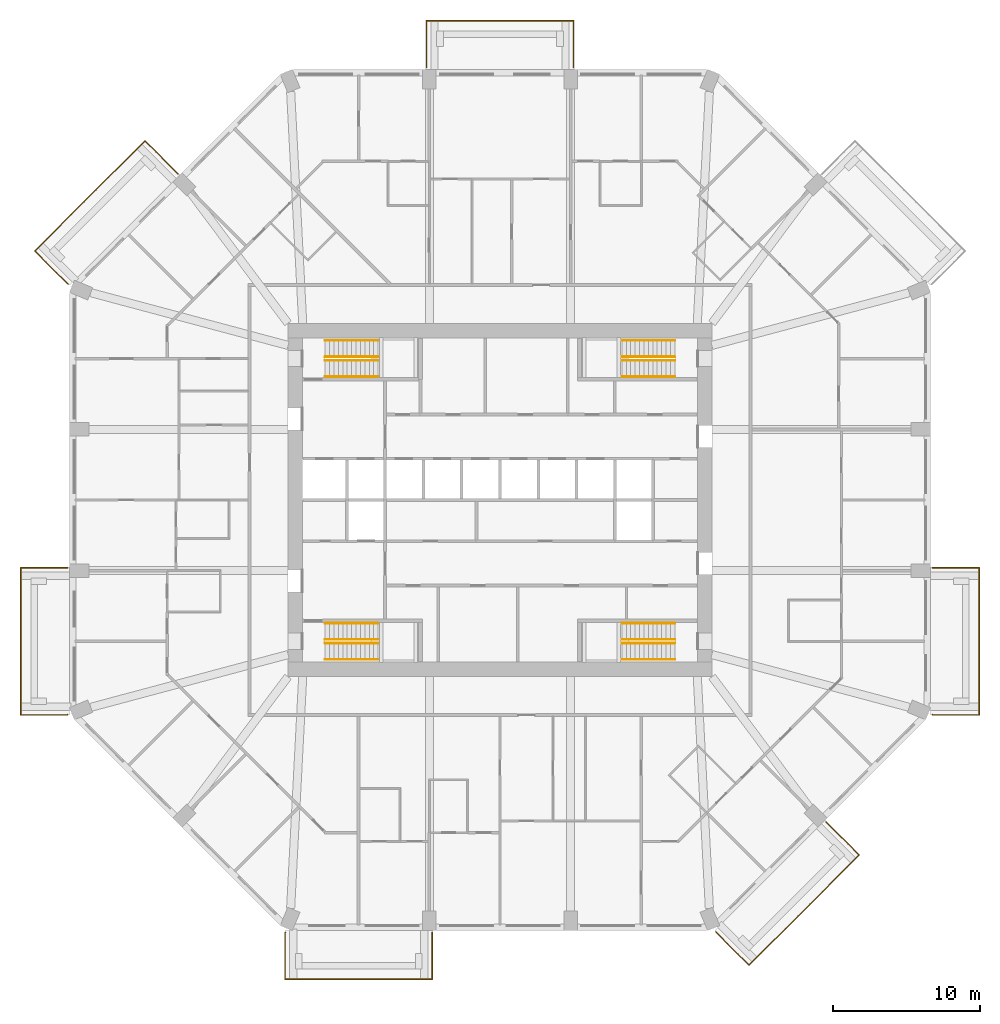
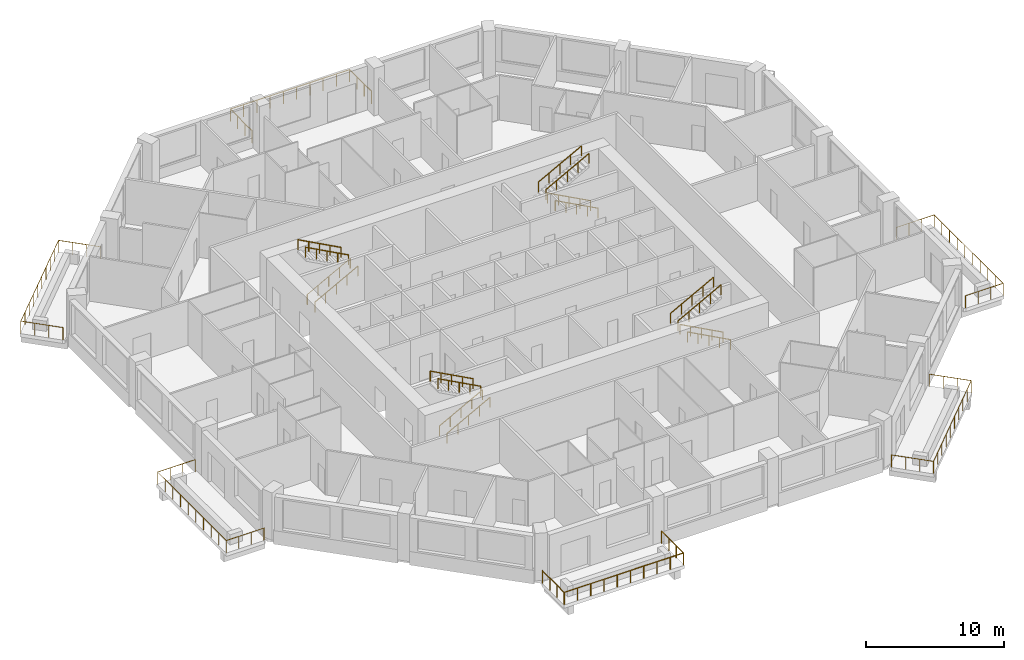
# One storey, part 12 of 13: 22 railings.
"""IFC4 building model written with IfcOpenShell, lengths in metres."""

from ifc_helpers import new_model, si_unit, direction, frame, origin, origin_2d, place, context, subcontext, project, spatial, circle, extrude, material, constituent, constituent_set, type_object, element, save


model = new_model("IFC4")

# Units and contexts
model_context = context("Model", 3, precision=1e-05, world=origin(), true_north=direction((0.0, 1.0)))
body_context = subcontext(model_context, "Body", "Model", "MODEL_VIEW")
ifc_project = project(units=[si_unit("LENGTHUNIT", "METRE"), si_unit("AREAUNIT", "SQUARE_METRE"), si_unit("VOLUMEUNIT", "CUBIC_METRE"), si_unit("PLANEANGLEUNIT", "RADIAN"), si_unit("MASSUNIT", "GRAM", prefix="KILO")], contexts=[model_context])

# Site, building, storey
site_placement = place(None, origin())
site = spatial("IfcSite", under=ifc_project, at=site_placement, CompositionType="ELEMENT")
building_placement = place(site_placement, origin())
building = spatial("IfcBuilding", under=site, at=building_placement, Name="Msitu Wima Residences", CompositionType="ELEMENT")
storey_placement = place(building_placement, frame((0.0, 0.0, 84.300048828125)))
storey = spatial("IfcBuildingStorey", under=building, at=storey_placement, Name="L19", CompositionType="ELEMENT", Elevation=84.300048828125)

# Railings
ifc_material_1 = material(Name="Steel S355", Category="steel")
ifc_constituent_1 = constituent(ifc_material_1, Name="Steel S355")
ifc_material_2 = material(Name="Weathering patina")
ifc_constituent_2 = constituent(ifc_material_2, Name="Weathering patina")
ifc_constituent_set_1 = constituent_set(constituents=[ifc_constituent_1, ifc_constituent_2], Name="Steel S355")
railing_type_1 = type_object("IfcRailingType", Name="Balcony guard GR1100", PredefinedType="GUARDRAIL", material=ifc_constituent_set_1)
railing_1_placement = place(storey_placement, frame((29.3798828125, -4.60009765625, 0.0)))
element("IfcRailing", 1, at=railing_1_placement, inside=storey, type_object=railing_type_1, Name="Balcony guard E0 L19", PredefinedType="GUARDRAIL", context=body_context, shape_type="SweptSolid", body=[
    extrude(circle(Radius=0.02392578125, at=origin_2d()), frame((0.0, 0.0, 1.076171875), z_axis=(1.0, 0.0, 0.0), x_axis=(0.0, 1.0, 0.0)), (0.0, 0.0, 1.0), 3.170166015625),
    extrude(circle(Radius=0.02392578125, at=origin_2d()), frame((3.170166015625, 0.0, 1.076171875), z_axis=(0.0, -1.0, 0.0), x_axis=(1.0, 0.0, 0.0)), (0.0, 0.0, 1.0), 10.0),
    extrude(circle(Radius=0.02392578125, at=origin_2d()), frame((3.170166015625, -10.0, 1.076171875), z_axis=(-1.0, 0.0, 0.0), x_axis=(0.0, -1.0, 0.0)), (0.0, 0.0, 1.0), 3.136474609375),
    extrude(circle(Radius=0.02392578125, at=origin_2d()), frame((0.03369140625, -10.0, 1.076171875), z_axis=(-0.92426142649, 0.38176015442, 0.0), x_axis=(-0.38176015442, -0.92426142649, 0.0)), (0.0, 0.0, 1.0), 0.036376953125),
    extrude(circle(Radius=0.02099609375, at=origin_2d()), origin(), (0.0, 0.0, 1.0), 1.052001953125),
    extrude(circle(Radius=0.02099609375, at=origin_2d()), frame((1.056640625, 0.0, 0.0)), (0.0, 0.0, 1.0), 1.052001953125),
    extrude(circle(Radius=0.02099609375, at=origin_2d()), frame((2.113525390625, 0.0, 0.0)), (0.0, 0.0, 1.0), 1.052001953125),
    extrude(circle(Radius=0.02099609375, at=origin_2d()), frame((3.170166015625, 0.0, 0.0)), (0.0, 0.0, 1.0), 1.052001953125),
    extrude(circle(Radius=0.02099609375, at=origin_2d()), frame((3.170166015625, -1.111083984375, 0.0)), (0.0, 0.0, 1.0), 1.052001953125),
    extrude(circle(Radius=0.02099609375, at=origin_2d()), frame((3.170166015625, -2.22216796875, 0.0)), (0.0, 0.0, 1.0), 1.052001953125),
    extrude(circle(Radius=0.02099609375, at=origin_2d()), frame((3.170166015625, -3.333251953125, 0.0)), (0.0, 0.0, 1.0), 1.052001953125),
    extrude(circle(Radius=0.02099609375, at=origin_2d()), frame((3.170166015625, -4.4443359375, 0.0)), (0.0, 0.0, 1.0), 1.052001953125),
    extrude(circle(Radius=0.02099609375, at=origin_2d()), frame((3.170166015625, -5.5556640625, 0.0)), (0.0, 0.0, 1.0), 1.052001953125),
    extrude(circle(Radius=0.02099609375, at=origin_2d()), frame((3.170166015625, -6.666748046875, 0.0)), (0.0, 0.0, 1.0), 1.052001953125),
    extrude(circle(Radius=0.02099609375, at=origin_2d()), frame((3.170166015625, -7.77783203125, 0.0)), (0.0, 0.0, 1.0), 1.052001953125),
    extrude(circle(Radius=0.02099609375, at=origin_2d()), frame((3.170166015625, -8.888916015625, 0.0)), (0.0, 0.0, 1.0), 1.052001953125),
    extrude(circle(Radius=0.02099609375, at=origin_2d()), frame((3.170166015625, -10.0, 0.0)), (0.0, 0.0, 1.0), 1.052001953125),
    extrude(circle(Radius=0.02099609375, at=origin_2d()), frame((2.124755859375, -10.0, 0.0)), (0.0, 0.0, 1.0), 1.052001953125),
    extrude(circle(Radius=0.02099609375, at=origin_2d()), frame((1.0791015625, -10.0, 0.0)), (0.0, 0.0, 1.0), 1.052001953125),
    extrude(circle(Radius=0.02099609375, at=origin_2d()), frame((0.03369140625, -10.0, 0.0)), (0.0, 0.0, 1.0), 1.052001953125),
    extrude(circle(Radius=0.02099609375, at=origin_2d()), frame((0.0, -9.986083984375, 0.0)), (0.0, 0.0, 1.0), 1.052001953125),
])
railing_2_placement = place(storey_placement, frame((-5.0, 29.3798828125, 0.0)))
element("IfcRailing", 2, at=railing_2_placement, inside=storey, type_object=railing_type_1, Name="Balcony guard N1 L19", PredefinedType="GUARDRAIL", context=body_context, shape_type="SweptSolid", body=[
    extrude(circle(Radius=0.02392578125, at=origin_2d()), frame((0.0, 0.0, 1.076171875), z_axis=(0.0, 1.0, 0.0), x_axis=(-1.0, 0.0, 0.0)), (0.0, 0.0, 1.0), 3.170166015625),
    extrude(circle(Radius=0.02392578125, at=origin_2d()), frame((0.0, 3.170166015625, 1.076171875), z_axis=(1.0, 0.0, 0.0), x_axis=(0.0, 1.0, 0.0)), (0.0, 0.0, 1.0), 10.0),
    extrude(circle(Radius=0.02392578125, at=origin_2d()), frame((10.0, 3.170166015625, 1.076171875), z_axis=(0.0, -1.0, 0.0), x_axis=(1.0, 0.0, 0.0)), (0.0, 0.0, 1.0), 3.170166015625),
    extrude(circle(Radius=0.02099609375, at=origin_2d()), origin(), (0.0, 0.0, 1.0), 1.052001953125),
    extrude(circle(Radius=0.02099609375, at=origin_2d()), frame((0.0, 1.056640625, 0.0)), (0.0, 0.0, 1.0), 1.052001953125),
    extrude(circle(Radius=0.02099609375, at=origin_2d()), frame((0.0, 2.113525390625, 0.0)), (0.0, 0.0, 1.0), 1.052001953125),
    extrude(circle(Radius=0.02099609375, at=origin_2d()), frame((0.0, 3.170166015625, 0.0)), (0.0, 0.0, 1.0), 1.052001953125),
    extrude(circle(Radius=0.02099609375, at=origin_2d()), frame((1.111083984375, 3.170166015625, 0.0)), (0.0, 0.0, 1.0), 1.052001953125),
    extrude(circle(Radius=0.02099609375, at=origin_2d()), frame((2.22216796875, 3.170166015625, 0.0)), (0.0, 0.0, 1.0), 1.052001953125),
    extrude(circle(Radius=0.02099609375, at=origin_2d()), frame((3.333251953125, 3.170166015625, 0.0)), (0.0, 0.0, 1.0), 1.052001953125),
    extrude(circle(Radius=0.02099609375, at=origin_2d()), frame((4.4443359375, 3.170166015625, 0.0)), (0.0, 0.0, 1.0), 1.052001953125),
    extrude(circle(Radius=0.02099609375, at=origin_2d()), frame((5.5556640625, 3.170166015625, 0.0)), (0.0, 0.0, 1.0), 1.052001953125),
    extrude(circle(Radius=0.02099609375, at=origin_2d()), frame((6.666748046875, 3.170166015625, 0.0)), (0.0, 0.0, 1.0), 1.052001953125),
    extrude(circle(Radius=0.02099609375, at=origin_2d()), frame((7.77783203125, 3.170166015625, 0.0)), (0.0, 0.0, 1.0), 1.052001953125),
    extrude(circle(Radius=0.02099609375, at=origin_2d()), frame((8.888916015625, 3.170166015625, 0.0)), (0.0, 0.0, 1.0), 1.052001953125),
    extrude(circle(Radius=0.02099609375, at=origin_2d()), frame((10.0, 3.170166015625, 0.0)), (0.0, 0.0, 1.0), 1.052001953125),
    extrude(circle(Radius=0.02099609375, at=origin_2d()), frame((10.0, 2.113525390625, 0.0)), (0.0, 0.0, 1.0), 1.052001953125),
    extrude(circle(Radius=0.02099609375, at=origin_2d()), frame((10.0, 1.056640625, 0.0)), (0.0, 0.0, 1.0), 1.052001953125),
    extrude(circle(Radius=0.02099609375, at=origin_2d()), frame((10.0, 0.0, 0.0)), (0.0, 0.0, 1.0), 1.052001953125),
])
railing_3_placement = place(storey_placement, frame((-29.341796875, 14.678466796875, 0.0)))
element("IfcRailing", 3, at=railing_3_placement, inside=storey, type_object=railing_type_1, Name="Balcony guard NW1 L19", PredefinedType="GUARDRAIL", context=body_context, shape_type="SweptSolid", body=[
    extrude(circle(Radius=0.02392578125, at=origin_2d()), frame((0.0, 0.0, 1.076171875), z_axis=(-0.923276184907, 0.384136806859, 0.0), x_axis=(-0.384136806859, -0.923276184907, 0.0)), (0.0, 0.0, 1.0), 0.0361328125),
    extrude(circle(Radius=0.02392578125, at=origin_2d()), frame((-0.033447265625, 0.013916015625, 1.076171875), z_axis=(-0.707106781187, 0.707106781187, 0.0), x_axis=(-0.707106781187, -0.707106781187, 0.0)), (0.0, 0.0, 1.0), 3.136474609375),
    extrude(circle(Radius=0.02392578125, at=origin_2d()), frame((-2.251220703125, 2.231689453125, 1.076171875), z_axis=(0.70709524572, 0.707118316465, 0.0), x_axis=(-0.707118316465, 0.70709524572, 0.0)), (0.0, 0.0, 1.0), 10.582275390625),
    extrude(circle(Radius=0.02392578125, at=origin_2d()), frame((5.2314453125, 9.714599609375, 1.076171875), z_axis=(0.707145287287, -0.707068272989, 0.0), x_axis=(0.707068272989, 0.707145287287, 0.0)), (0.0, 0.0, 1.0), 3.170166015625),
    extrude(circle(Radius=0.02099609375, at=origin_2d()), origin(), (0.0, 0.0, 1.0), 1.052001953125),
    extrude(circle(Radius=0.02099609375, at=origin_2d()), frame((-0.033447265625, 0.013916015625, 0.0)), (0.0, 0.0, 1.0), 1.052001953125),
    extrude(circle(Radius=0.02099609375, at=origin_2d()), frame((-0.772705078125, 0.753173828125, 0.0)), (0.0, 0.0, 1.0), 1.052001953125),
    extrude(circle(Radius=0.02099609375, at=origin_2d()), frame((-1.511962890625, 1.492431640625, 0.0)), (0.0, 0.0, 1.0), 1.052001953125),
    extrude(circle(Radius=0.02099609375, at=origin_2d()), frame((-2.251220703125, 2.231689453125, 0.0)), (0.0, 0.0, 1.0), 1.052001953125),
    extrude(circle(Radius=0.02099609375, at=origin_2d()), frame((-1.419921875, 3.063232421875, 0.0)), (0.0, 0.0, 1.0), 1.052001953125),
    extrude(circle(Radius=0.02099609375, at=origin_2d()), frame((-0.58837890625, 3.89453125, 0.0)), (0.0, 0.0, 1.0), 1.052001953125),
    extrude(circle(Radius=0.02099609375, at=origin_2d()), frame((0.242919921875, 4.72607421875, 0.0)), (0.0, 0.0, 1.0), 1.052001953125),
    extrude(circle(Radius=0.02099609375, at=origin_2d()), frame((1.074462890625, 5.557373046875, 0.0)), (0.0, 0.0, 1.0), 1.052001953125),
    extrude(circle(Radius=0.02099609375, at=origin_2d()), frame((1.90576171875, 6.388916015625, 0.0)), (0.0, 0.0, 1.0), 1.052001953125),
    extrude(circle(Radius=0.02099609375, at=origin_2d()), frame((2.7373046875, 7.22021484375, 0.0)), (0.0, 0.0, 1.0), 1.052001953125),
    extrude(circle(Radius=0.02099609375, at=origin_2d()), frame((3.568603515625, 8.0517578125, 0.0)), (0.0, 0.0, 1.0), 1.052001953125),
    extrude(circle(Radius=0.02099609375, at=origin_2d()), frame((4.400146484375, 8.883056640625, 0.0)), (0.0, 0.0, 1.0), 1.052001953125),
    extrude(circle(Radius=0.02099609375, at=origin_2d()), frame((5.2314453125, 9.714599609375, 0.0)), (0.0, 0.0, 1.0), 1.052001953125),
    extrude(circle(Radius=0.02099609375, at=origin_2d()), frame((5.978759765625, 8.967529296875, 0.0)), (0.0, 0.0, 1.0), 1.052001953125),
    extrude(circle(Radius=0.02099609375, at=origin_2d()), frame((6.725830078125, 8.22021484375, 0.0)), (0.0, 0.0, 1.0), 1.052001953125),
    extrude(circle(Radius=0.02099609375, at=origin_2d()), frame((7.47314453125, 7.47314453125, 0.0)), (0.0, 0.0, 1.0), 1.052001953125),
])
railing_4_placement = place(storey_placement, frame((-29.3798828125, -14.586181640625, 0.0)))
element("IfcRailing", 4, at=railing_4_placement, inside=storey, type_object=railing_type_1, Name="Balcony guard W2 L19", PredefinedType="GUARDRAIL", context=body_context, shape_type="SweptSolid", body=[
    extrude(circle(Radius=0.02392578125, at=origin_2d()), frame((0.0, 0.0, 1.076171875), z_axis=(-0.92426142649, -0.38176015442, 0.0), x_axis=(0.38176015442, -0.92426142649, 0.0)), (0.0, 0.0, 1.0), 0.036376953125),
    extrude(circle(Radius=0.02392578125, at=origin_2d()), frame((-0.03369140625, -0.013916015625, 1.076171875), z_axis=(-1.0, 0.0, 0.0), x_axis=(0.0, -1.0, 0.0)), (0.0, 0.0, 1.0), 3.136474609375),
    extrude(circle(Radius=0.02392578125, at=origin_2d()), frame((-3.170166015625, -0.013916015625, 1.076171875), z_axis=(0.0, 1.0, 0.0), x_axis=(-1.0, 0.0, 0.0)), (0.0, 0.0, 1.0), 10.0),
    extrude(circle(Radius=0.02392578125, at=origin_2d()), frame((-3.170166015625, 9.986083984375, 1.076171875), z_axis=(1.0, 0.0, 0.0), x_axis=(0.0, 1.0, 0.0)), (0.0, 0.0, 1.0), 3.170166015625),
    extrude(circle(Radius=0.02099609375, at=origin_2d()), origin(), (0.0, 0.0, 1.0), 1.052001953125),
    extrude(circle(Radius=0.02099609375, at=origin_2d()), frame((-0.03369140625, -0.013916015625, 0.0)), (0.0, 0.0, 1.0), 1.052001953125),
    extrude(circle(Radius=0.02099609375, at=origin_2d()), frame((-1.0791015625, -0.013916015625, 0.0)), (0.0, 0.0, 1.0), 1.052001953125),
    extrude(circle(Radius=0.02099609375, at=origin_2d()), frame((-2.124755859375, -0.013916015625, 0.0)), (0.0, 0.0, 1.0), 1.052001953125),
    extrude(circle(Radius=0.02099609375, at=origin_2d()), frame((-3.170166015625, -0.013916015625, 0.0)), (0.0, 0.0, 1.0), 1.052001953125),
    extrude(circle(Radius=0.02099609375, at=origin_2d()), frame((-3.170166015625, 1.09716796875, 0.0)), (0.0, 0.0, 1.0), 1.052001953125),
    extrude(circle(Radius=0.02099609375, at=origin_2d()), frame((-3.170166015625, 2.208251953125, 0.0)), (0.0, 0.0, 1.0), 1.052001953125),
    extrude(circle(Radius=0.02099609375, at=origin_2d()), frame((-3.170166015625, 3.3193359375, 0.0)), (0.0, 0.0, 1.0), 1.052001953125),
    extrude(circle(Radius=0.02099609375, at=origin_2d()), frame((-3.170166015625, 4.430419921875, 0.0)), (0.0, 0.0, 1.0), 1.052001953125),
    extrude(circle(Radius=0.02099609375, at=origin_2d()), frame((-3.170166015625, 5.541748046875, 0.0)), (0.0, 0.0, 1.0), 1.052001953125),
    extrude(circle(Radius=0.02099609375, at=origin_2d()), frame((-3.170166015625, 6.65283203125, 0.0)), (0.0, 0.0, 1.0), 1.052001953125),
    extrude(circle(Radius=0.02099609375, at=origin_2d()), frame((-3.170166015625, 7.763916015625, 0.0)), (0.0, 0.0, 1.0), 1.052001953125),
    extrude(circle(Radius=0.02099609375, at=origin_2d()), frame((-3.170166015625, 8.875, 0.0)), (0.0, 0.0, 1.0), 1.052001953125),
    extrude(circle(Radius=0.02099609375, at=origin_2d()), frame((-3.170166015625, 9.986083984375, 0.0)), (0.0, 0.0, 1.0), 1.052001953125),
    extrude(circle(Radius=0.02099609375, at=origin_2d()), frame((-2.113525390625, 9.986083984375, 0.0)), (0.0, 0.0, 1.0), 1.052001953125),
    extrude(circle(Radius=0.02099609375, at=origin_2d()), frame((-1.056640625, 9.986083984375, 0.0)), (0.0, 0.0, 1.0), 1.052001953125),
    extrude(circle(Radius=0.02099609375, at=origin_2d()), frame((0.0, 9.986083984375, 0.0)), (0.0, 0.0, 1.0), 1.052001953125),
])
railing_5_placement = place(storey_placement, frame((-4.60009765625, -29.3798828125, 0.0)))
element("IfcRailing", 5, at=railing_5_placement, inside=storey, type_object=railing_type_1, Name="Balcony guard S0 L19", PredefinedType="GUARDRAIL", context=body_context, shape_type="SweptSolid", body=[
    extrude(circle(Radius=0.02392578125, at=origin_2d()), frame((0.0, 0.0, 1.076171875), z_axis=(0.0, -1.0, 0.0), x_axis=(1.0, 0.0, 0.0)), (0.0, 0.0, 1.0), 3.170166015625),
    extrude(circle(Radius=0.02392578125, at=origin_2d()), frame((0.0, -3.170166015625, 1.076171875), z_axis=(-1.0, 0.0, 0.0), x_axis=(0.0, -1.0, 0.0)), (0.0, 0.0, 1.0), 10.0),
    extrude(circle(Radius=0.02392578125, at=origin_2d()), frame((-10.0, -3.170166015625, 1.076171875), z_axis=(0.0, 1.0, 0.0), x_axis=(-1.0, 0.0, 0.0)), (0.0, 0.0, 1.0), 3.136474609375),
    extrude(circle(Radius=0.02392578125, at=origin_2d()), frame((-10.0, -0.03369140625, 1.076171875), z_axis=(0.38176015442, 0.92426142649, 0.0), x_axis=(-0.92426142649, 0.38176015442, 0.0)), (0.0, 0.0, 1.0), 0.036376953125),
    extrude(circle(Radius=0.02099609375, at=origin_2d()), origin(), (0.0, 0.0, 1.0), 1.052001953125),
    extrude(circle(Radius=0.02099609375, at=origin_2d()), frame((0.0, -1.056640625, 0.0)), (0.0, 0.0, 1.0), 1.052001953125),
    extrude(circle(Radius=0.02099609375, at=origin_2d()), frame((0.0, -2.113525390625, 0.0)), (0.0, 0.0, 1.0), 1.052001953125),
    extrude(circle(Radius=0.02099609375, at=origin_2d()), frame((0.0, -3.170166015625, 0.0)), (0.0, 0.0, 1.0), 1.052001953125),
    extrude(circle(Radius=0.02099609375, at=origin_2d()), frame((-1.111083984375, -3.170166015625, 0.0)), (0.0, 0.0, 1.0), 1.052001953125),
    extrude(circle(Radius=0.02099609375, at=origin_2d()), frame((-2.22216796875, -3.170166015625, 0.0)), (0.0, 0.0, 1.0), 1.052001953125),
    extrude(circle(Radius=0.02099609375, at=origin_2d()), frame((-3.333251953125, -3.170166015625, 0.0)), (0.0, 0.0, 1.0), 1.052001953125),
    extrude(circle(Radius=0.02099609375, at=origin_2d()), frame((-4.4443359375, -3.170166015625, 0.0)), (0.0, 0.0, 1.0), 1.052001953125),
    extrude(circle(Radius=0.02099609375, at=origin_2d()), frame((-5.5556640625, -3.170166015625, 0.0)), (0.0, 0.0, 1.0), 1.052001953125),
    extrude(circle(Radius=0.02099609375, at=origin_2d()), frame((-6.666748046875, -3.170166015625, 0.0)), (0.0, 0.0, 1.0), 1.052001953125),
    extrude(circle(Radius=0.02099609375, at=origin_2d()), frame((-7.77783203125, -3.170166015625, 0.0)), (0.0, 0.0, 1.0), 1.052001953125),
    extrude(circle(Radius=0.02099609375, at=origin_2d()), frame((-8.888916015625, -3.170166015625, 0.0)), (0.0, 0.0, 1.0), 1.052001953125),
    extrude(circle(Radius=0.02099609375, at=origin_2d()), frame((-10.0, -3.170166015625, 0.0)), (0.0, 0.0, 1.0), 1.052001953125),
    extrude(circle(Radius=0.02099609375, at=origin_2d()), frame((-10.0, -2.124755859375, 0.0)), (0.0, 0.0, 1.0), 1.052001953125),
    extrude(circle(Radius=0.02099609375, at=origin_2d()), frame((-10.0, -1.0791015625, 0.0)), (0.0, 0.0, 1.0), 1.052001953125),
    extrude(circle(Radius=0.02099609375, at=origin_2d()), frame((-10.0, -0.03369140625, 0.0)), (0.0, 0.0, 1.0), 1.052001953125),
    extrude(circle(Radius=0.02099609375, at=origin_2d()), frame((-9.986083984375, 0.0, 0.0)), (0.0, 0.0, 1.0), 1.052001953125),
])
railing_6_placement = place(storey_placement, frame((22.151611328125, -21.86865234375, 0.0)))
element("IfcRailing", 6, at=railing_6_placement, inside=storey, type_object=railing_type_1, Name="Balcony guard SE0 L19", PredefinedType="GUARDRAIL", context=body_context, shape_type="SweptSolid", body=[
    extrude(circle(Radius=0.02392578125, at=origin_2d()), frame((0.0, 0.0, 1.076171875), z_axis=(0.707068272989, -0.707145287287, 0.0), x_axis=(0.707145287287, 0.707068272989, 0.0)), (0.0, 0.0, 1.0), 3.170166015625),
    extrude(circle(Radius=0.02392578125, at=origin_2d()), frame((2.241455078125, -2.24169921875, 1.076171875), z_axis=(-0.707118316465, -0.70709524572, 0.0), x_axis=(0.70709524572, -0.707118316465, 0.0)), (0.0, 0.0, 1.0), 10.582275390625),
    extrude(circle(Radius=0.02392578125, at=origin_2d()), frame((-5.241455078125, -9.724365234375, 1.076171875), z_axis=(-0.707106781187, 0.707106781187, 0.0), x_axis=(-0.707106781187, -0.707106781187, 0.0)), (0.0, 0.0, 1.0), 3.136474609375),
    extrude(circle(Radius=0.02392578125, at=origin_2d()), frame((-7.459228515625, -7.506591796875, 1.076171875), z_axis=(-0.384136806859, 0.923276184907, 0.0), x_axis=(-0.923276184907, -0.384136806859, 0.0)), (0.0, 0.0, 1.0), 0.0361328125),
    extrude(circle(Radius=0.02099609375, at=origin_2d()), origin(), (0.0, 0.0, 1.0), 1.052001953125),
    extrude(circle(Radius=0.02099609375, at=origin_2d()), frame((0.7470703125, -0.747314453125, 0.0)), (0.0, 0.0, 1.0), 1.052001953125),
    extrude(circle(Radius=0.02099609375, at=origin_2d()), frame((1.494384765625, -1.494384765625, 0.0)), (0.0, 0.0, 1.0), 1.052001953125),
    extrude(circle(Radius=0.02099609375, at=origin_2d()), frame((2.241455078125, -2.24169921875, 0.0)), (0.0, 0.0, 1.0), 1.052001953125),
    extrude(circle(Radius=0.02099609375, at=origin_2d()), frame((1.409912109375, -3.072998046875, 0.0)), (0.0, 0.0, 1.0), 1.052001953125),
    extrude(circle(Radius=0.02099609375, at=origin_2d()), frame((0.57861328125, -3.904541015625, 0.0)), (0.0, 0.0, 1.0), 1.052001953125),
    extrude(circle(Radius=0.02099609375, at=origin_2d()), frame((-0.2529296875, -4.73583984375, 0.0)), (0.0, 0.0, 1.0), 1.052001953125),
    extrude(circle(Radius=0.02099609375, at=origin_2d()), frame((-1.084228515625, -5.5673828125, 0.0)), (0.0, 0.0, 1.0), 1.052001953125),
    extrude(circle(Radius=0.02099609375, at=origin_2d()), frame((-1.915771484375, -6.398681640625, 0.0)), (0.0, 0.0, 1.0), 1.052001953125),
    extrude(circle(Radius=0.02099609375, at=origin_2d()), frame((-2.7470703125, -7.230224609375, 0.0)), (0.0, 0.0, 1.0), 1.052001953125),
    extrude(circle(Radius=0.02099609375, at=origin_2d()), frame((-3.57861328125, -8.0615234375, 0.0)), (0.0, 0.0, 1.0), 1.052001953125),
    extrude(circle(Radius=0.02099609375, at=origin_2d()), frame((-4.409912109375, -8.89306640625, 0.0)), (0.0, 0.0, 1.0), 1.052001953125),
    extrude(circle(Radius=0.02099609375, at=origin_2d()), frame((-5.241455078125, -9.724365234375, 0.0)), (0.0, 0.0, 1.0), 1.052001953125),
    extrude(circle(Radius=0.02099609375, at=origin_2d()), frame((-5.980712890625, -8.985107421875, 0.0)), (0.0, 0.0, 1.0), 1.052001953125),
    extrude(circle(Radius=0.02099609375, at=origin_2d()), frame((-6.719970703125, -8.245849609375, 0.0)), (0.0, 0.0, 1.0), 1.052001953125),
    extrude(circle(Radius=0.02099609375, at=origin_2d()), frame((-7.459228515625, -7.506591796875, 0.0)), (0.0, 0.0, 1.0), 1.052001953125),
    extrude(circle(Radius=0.02099609375, at=origin_2d()), frame((-7.47314453125, -7.47314453125, 0.0)), (0.0, 0.0, 1.0), 1.052001953125),
])
ifc_constituent_3 = constituent(ifc_material_1, Name="Steel S355")
ifc_material_3 = material(Name="Black powder coating")
ifc_constituent_4 = constituent(ifc_material_3, Name="Black powder coating")
ifc_constituent_set_2 = constituent_set(constituents=[ifc_constituent_3, ifc_constituent_4], Name="Steel S355")
railing_type_2 = type_object("IfcRailingType", Name="Stair handrail HR1", PredefinedType="HANDRAIL", material=ifc_constituent_set_2)
for number, where, name in (
    (7, (-11.875, 8.375, 0.161376953125), "Stair 1 handrail"),
    (8, (-11.875, 9.47509765625, 0.161376953125), "Stair 1 handrail"),
):
    element("IfcRailing", number, at=place(storey_placement, frame(where)), inside=storey, type_object=railing_type_2, Name=name, PredefinedType="HANDRAIL", context=body_context, shape_type="SweptSolid", body=[
        extrude(circle(Radius=0.02392578125, at=origin_2d()), frame((0.0, 0.0, 0.8759765625), z_axis=(0.880474934443, 0.0, 0.474092701714), x_axis=(0.0, 1.0, 0.0)), (0.0, 0.0, 1.0), 4.0888671875),
        extrude(circle(Radius=0.02099609375, at=origin_2d()), origin(), (0.0, 0.0, 1.0), 0.851806640625),
        extrude(circle(Radius=0.02099609375, at=origin_2d()), frame((0.89990234375, 0.0, 0.484619140625)), (0.0, 0.0, 1.0), 0.851806640625),
        extrude(circle(Radius=0.02099609375, at=origin_2d()), frame((1.800048828125, 0.0, 0.96923828125)), (0.0, 0.0, 1.0), 0.851806640625),
        extrude(circle(Radius=0.02099609375, at=origin_2d()), frame((2.7001953125, 0.0, 1.453857421875)), (0.0, 0.0, 1.0), 0.851806640625),
        extrude(circle(Radius=0.02099609375, at=origin_2d()), frame((3.60009765625, 0.0, 1.9384765625)), (0.0, 0.0, 1.0), 0.851806640625),
    ])
for number, where, name in (
    (9, (-8.27490234375, 9.72509765625, 2.261474609375), "Stair 1 handrail"),
    (10, (-8.27490234375, 10.824951171875, 2.261474609375), "Stair 1 handrail"),
):
    element("IfcRailing", number, at=place(storey_placement, frame(where)), inside=storey, type_object=railing_type_2, Name=name, PredefinedType="HANDRAIL", context=body_context, shape_type="SweptSolid", body=[
        extrude(circle(Radius=0.02392578125, at=origin_2d()), frame((0.0, 0.0, 0.8759765625), z_axis=(-0.880474934443, 0.0, 0.474092701714), x_axis=(0.0, -1.0, 0.0)), (0.0, 0.0, 1.0), 4.0888671875),
        extrude(circle(Radius=0.02099609375, at=origin_2d()), origin(), (0.0, 0.0, 1.0), 0.851806640625),
        extrude(circle(Radius=0.02099609375, at=origin_2d()), frame((-0.89990234375, 0.0, 0.484619140625)), (0.0, 0.0, 1.0), 0.851806640625),
        extrude(circle(Radius=0.02099609375, at=origin_2d()), frame((-1.800048828125, 0.0, 0.96923828125)), (0.0, 0.0, 1.0), 0.851806640625),
        extrude(circle(Radius=0.02099609375, at=origin_2d()), frame((-2.7001953125, 0.0, 1.453857421875)), (0.0, 0.0, 1.0), 0.851806640625),
        extrude(circle(Radius=0.02099609375, at=origin_2d()), frame((-3.60009765625, 0.0, 1.9384765625)), (0.0, 0.0, 1.0), 0.851806640625),
    ])
for number, where, name in (
    (11, (-11.875, -10.824951171875, 0.161376953125), "Stair 2 handrail"),
    (12, (-11.875, -9.72509765625, 0.161376953125), "Stair 2 handrail"),
):
    element("IfcRailing", number, at=place(storey_placement, frame(where)), inside=storey, type_object=railing_type_2, Name=name, PredefinedType="HANDRAIL", context=body_context, shape_type="SweptSolid", body=[
        extrude(circle(Radius=0.02392578125, at=origin_2d()), frame((0.0, 0.0, 0.8759765625), z_axis=(0.880474934443, 0.0, 0.474092701714), x_axis=(0.0, 1.0, 0.0)), (0.0, 0.0, 1.0), 4.0888671875),
        extrude(circle(Radius=0.02099609375, at=origin_2d()), origin(), (0.0, 0.0, 1.0), 0.851806640625),
        extrude(circle(Radius=0.02099609375, at=origin_2d()), frame((0.89990234375, 0.0, 0.484619140625)), (0.0, 0.0, 1.0), 0.851806640625),
        extrude(circle(Radius=0.02099609375, at=origin_2d()), frame((1.800048828125, 0.0, 0.96923828125)), (0.0, 0.0, 1.0), 0.851806640625),
        extrude(circle(Radius=0.02099609375, at=origin_2d()), frame((2.7001953125, 0.0, 1.453857421875)), (0.0, 0.0, 1.0), 0.851806640625),
        extrude(circle(Radius=0.02099609375, at=origin_2d()), frame((3.60009765625, 0.0, 1.9384765625)), (0.0, 0.0, 1.0), 0.851806640625),
    ])
for number, where, name in (
    (13, (-8.27490234375, -9.47509765625, 2.261474609375), "Stair 2 handrail"),
    (14, (-8.27490234375, -8.375, 2.261474609375), "Stair 2 handrail"),
    (15, (11.875, 8.375, 0.161376953125), "Stair 3 handrail"),
    (16, (11.875, 9.47509765625, 0.161376953125), "Stair 3 handrail"),
):
    element("IfcRailing", number, at=place(storey_placement, frame(where)), inside=storey, type_object=railing_type_2, Name=name, PredefinedType="HANDRAIL", context=body_context, shape_type="SweptSolid", body=[
        extrude(circle(Radius=0.02392578125, at=origin_2d()), frame((0.0, 0.0, 0.8759765625), z_axis=(-0.880474934443, 0.0, 0.474092701714), x_axis=(0.0, -1.0, 0.0)), (0.0, 0.0, 1.0), 4.0888671875),
        extrude(circle(Radius=0.02099609375, at=origin_2d()), origin(), (0.0, 0.0, 1.0), 0.851806640625),
        extrude(circle(Radius=0.02099609375, at=origin_2d()), frame((-0.89990234375, 0.0, 0.484619140625)), (0.0, 0.0, 1.0), 0.851806640625),
        extrude(circle(Radius=0.02099609375, at=origin_2d()), frame((-1.800048828125, 0.0, 0.96923828125)), (0.0, 0.0, 1.0), 0.851806640625),
        extrude(circle(Radius=0.02099609375, at=origin_2d()), frame((-2.7001953125, 0.0, 1.453857421875)), (0.0, 0.0, 1.0), 0.851806640625),
        extrude(circle(Radius=0.02099609375, at=origin_2d()), frame((-3.60009765625, 0.0, 1.9384765625)), (0.0, 0.0, 1.0), 0.851806640625),
    ])
for number, where, name in (
    (17, (8.27490234375, 9.72509765625, 2.261474609375), "Stair 3 handrail"),
    (18, (8.27490234375, 10.824951171875, 2.261474609375), "Stair 3 handrail"),
):
    element("IfcRailing", number, at=place(storey_placement, frame(where)), inside=storey, type_object=railing_type_2, Name=name, PredefinedType="HANDRAIL", context=body_context, shape_type="SweptSolid", body=[
        extrude(circle(Radius=0.02392578125, at=origin_2d()), frame((0.0, 0.0, 0.8759765625), z_axis=(0.880474934443, 0.0, 0.474092701714), x_axis=(0.0, 1.0, 0.0)), (0.0, 0.0, 1.0), 4.0888671875),
        extrude(circle(Radius=0.02099609375, at=origin_2d()), origin(), (0.0, 0.0, 1.0), 0.851806640625),
        extrude(circle(Radius=0.02099609375, at=origin_2d()), frame((0.89990234375, 0.0, 0.484619140625)), (0.0, 0.0, 1.0), 0.851806640625),
        extrude(circle(Radius=0.02099609375, at=origin_2d()), frame((1.800048828125, 0.0, 0.96923828125)), (0.0, 0.0, 1.0), 0.851806640625),
        extrude(circle(Radius=0.02099609375, at=origin_2d()), frame((2.7001953125, 0.0, 1.453857421875)), (0.0, 0.0, 1.0), 0.851806640625),
        extrude(circle(Radius=0.02099609375, at=origin_2d()), frame((3.60009765625, 0.0, 1.9384765625)), (0.0, 0.0, 1.0), 0.851806640625),
    ])
for number, where, name in (
    (19, (11.875, -10.824951171875, 0.161376953125), "Stair 4 handrail"),
    (20, (11.875, -9.72509765625, 0.161376953125), "Stair 4 handrail"),
):
    element("IfcRailing", number, at=place(storey_placement, frame(where)), inside=storey, type_object=railing_type_2, Name=name, PredefinedType="HANDRAIL", context=body_context, shape_type="SweptSolid", body=[
        extrude(circle(Radius=0.02392578125, at=origin_2d()), frame((0.0, 0.0, 0.8759765625), z_axis=(-0.880474934443, 0.0, 0.474092701714), x_axis=(0.0, -1.0, 0.0)), (0.0, 0.0, 1.0), 4.0888671875),
        extrude(circle(Radius=0.02099609375, at=origin_2d()), origin(), (0.0, 0.0, 1.0), 0.851806640625),
        extrude(circle(Radius=0.02099609375, at=origin_2d()), frame((-0.89990234375, 0.0, 0.484619140625)), (0.0, 0.0, 1.0), 0.851806640625),
        extrude(circle(Radius=0.02099609375, at=origin_2d()), frame((-1.800048828125, 0.0, 0.96923828125)), (0.0, 0.0, 1.0), 0.851806640625),
        extrude(circle(Radius=0.02099609375, at=origin_2d()), frame((-2.7001953125, 0.0, 1.453857421875)), (0.0, 0.0, 1.0), 0.851806640625),
        extrude(circle(Radius=0.02099609375, at=origin_2d()), frame((-3.60009765625, 0.0, 1.9384765625)), (0.0, 0.0, 1.0), 0.851806640625),
    ])
for number, where, name in (
    (21, (8.27490234375, -9.47509765625, 2.261474609375), "Stair 4 handrail"),
    (22, (8.27490234375, -8.375, 2.261474609375), "Stair 4 handrail"),
):
    element("IfcRailing", number, at=place(storey_placement, frame(where)), inside=storey, type_object=railing_type_2, Name=name, PredefinedType="HANDRAIL", context=body_context, shape_type="SweptSolid", body=[
        extrude(circle(Radius=0.02392578125, at=origin_2d()), frame((0.0, 0.0, 0.8759765625), z_axis=(0.880474934443, 0.0, 0.474092701714), x_axis=(0.0, 1.0, 0.0)), (0.0, 0.0, 1.0), 4.0888671875),
        extrude(circle(Radius=0.02099609375, at=origin_2d()), origin(), (0.0, 0.0, 1.0), 0.851806640625),
        extrude(circle(Radius=0.02099609375, at=origin_2d()), frame((0.89990234375, 0.0, 0.484619140625)), (0.0, 0.0, 1.0), 0.851806640625),
        extrude(circle(Radius=0.02099609375, at=origin_2d()), frame((1.800048828125, 0.0, 0.96923828125)), (0.0, 0.0, 1.0), 0.851806640625),
        extrude(circle(Radius=0.02099609375, at=origin_2d()), frame((2.7001953125, 0.0, 1.453857421875)), (0.0, 0.0, 1.0), 0.851806640625),
        extrude(circle(Radius=0.02099609375, at=origin_2d()), frame((3.60009765625, 0.0, 1.9384765625)), (0.0, 0.0, 1.0), 0.851806640625),
    ])

save(model, "model.ifc")
